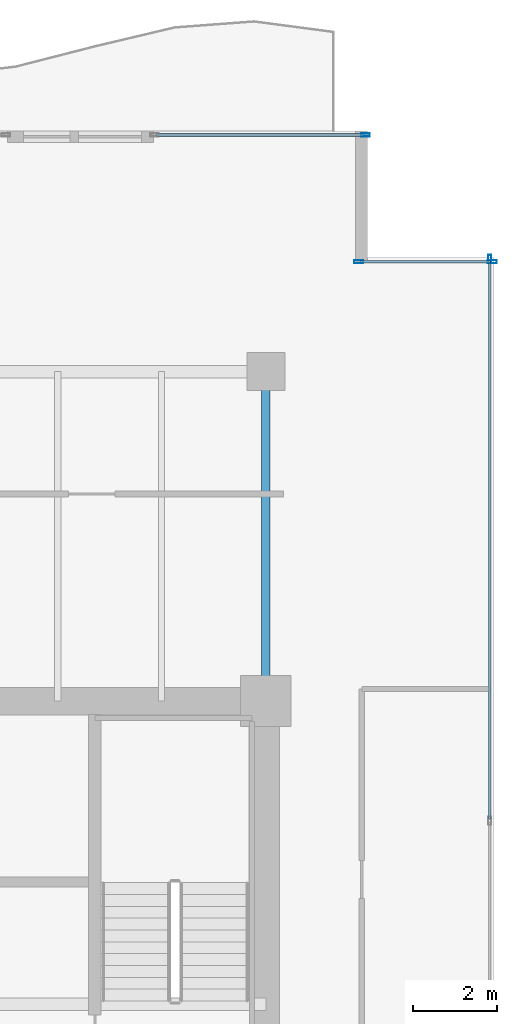
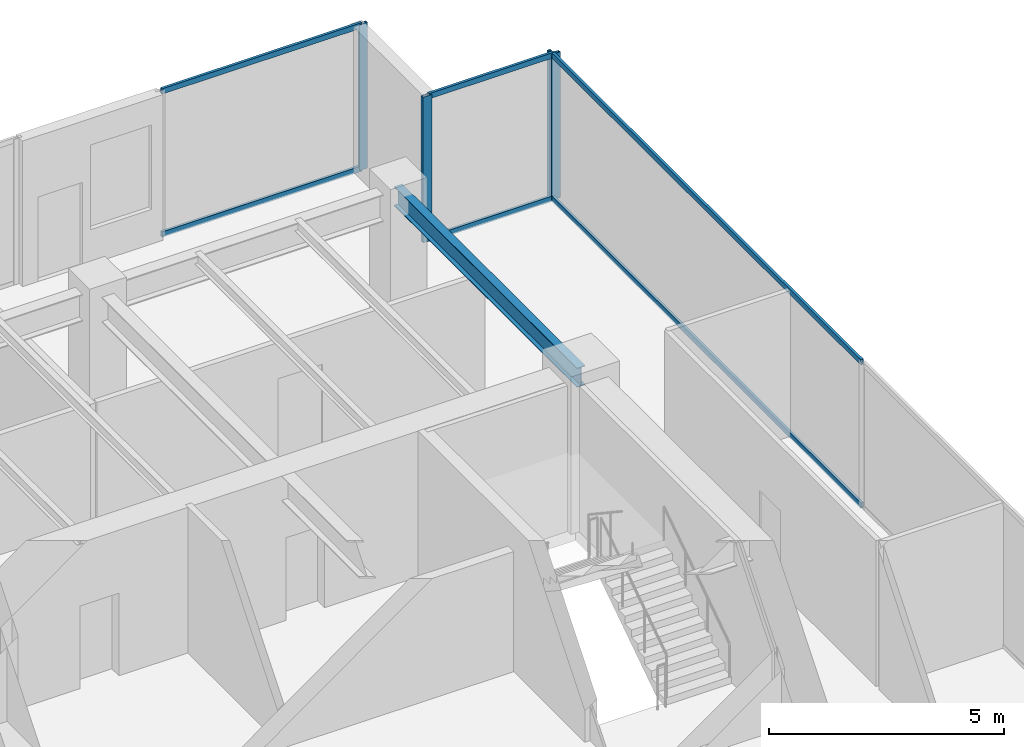
# One storey, part 21 of 30: 10 members, 1 beam, 3 elements without a shape of their own.
"""IFC4 building model written with IfcOpenShell, lengths in metres."""

from ifc_helpers import new_model, si_unit, direction, frame, origin, origin_2d, place, context, subcontext, project, spatial, hollow_rectangle, i_section, extrude, source, transform, mapped, material, layer, layer_set, material_profile, profile_set, type_object, type_shapes, element, aggregate, save


model = new_model("IFC4")

# Units and contexts
model_context = context("Model", 3, precision=1e-05, world=origin(), true_north=direction((0.0, 1.0)))
body_context = subcontext(model_context, "Body", "Model", "MODEL_VIEW")
ifc_project = project(units=[si_unit("LENGTHUNIT", "METRE"), si_unit("AREAUNIT", "SQUARE_METRE"), si_unit("VOLUMEUNIT", "CUBIC_METRE"), si_unit("PLANEANGLEUNIT", "RADIAN"), si_unit("MASSUNIT", "GRAM", prefix="KILO")], contexts=[model_context])

# Site, building, storey
site_placement = place(None, origin())
site = spatial("IfcSite", under=ifc_project, at=site_placement, CompositionType="ELEMENT")
building_placement = place(site_placement, origin())
building = spatial("IfcBuilding", under=site, at=building_placement, Name="Haelvirn Gate Laboratories", CompositionType="ELEMENT")
storey_placement = place(building_placement, frame((0.0, 0.0, 113.300048828125)))
storey = spatial("IfcBuildingStorey", under=building, at=storey_placement, Name="L27", CompositionType="ELEMENT", Elevation=113.300048828125)

# Beam
ifc_material_1 = material(Name="Steel SM355", Category="steel")
ifc_material_profile_1 = material_profile(ifc_material_1, i_section(OverallWidth=0.199951171875, OverallDepth=0.5, WebThickness=0.010009765625, FlangeThickness=0.01611328125, at=origin_2d()), Name="H-500x200x10x16")
ifc_profile_set_1 = profile_set([ifc_material_profile_1], Name="Steel SM355")
beam_type = type_object("IfcBeamType", Name="BM-SP-500", PredefinedType="SPANDREL", material=ifc_profile_set_1)
shared_shape_1 = source(origin(), body_context, "Body", "SweptSolid", [
    extrude(i_section(OverallWidth=0.199951171875, OverallDepth=0.5, WebThickness=0.010009765625, FlangeThickness=0.01611328125, at=origin_2d()), origin(), (0.0, 0.0, 1.0), 7.800048828125),
])
type_shapes(beam_type, [shared_shape_1])
beam_placement = place(storey_placement, frame((67.39990234375, 33.800048828125, 3.5400390625), z_axis=(0.0, 1.0, 0.0), x_axis=(-1.0, 0.0, 0.0)))
element("IfcBeam", 1, at=beam_placement, inside=storey, type_object=beam_type, Name="L27 Perimeter Spandrel X67.4 (33.8-41.6)", PredefinedType="SPANDREL", context=body_context, shape_type="MappedRepresentation", body=[
    mapped(shared_shape_1, transform((0.0, 0.0, 0.0), scale=1.0)),
])

# Curtain wall, members
ifc_material_2 = material(Name="Anodised bronze unitised aluminium & triple low-E glass", Category="aluminium")
ifc_layer_1 = layer(ifc_material_2, 0.181884765625, Name="CW-SYS-5")
ifc_layer_set_1 = layer_set([ifc_layer_1], Name="Anodised bronze unitised aluminium & triple low-E glass")
curtain_wall_type_1 = type_object("IfcCurtainWallType", Name="CW-SYS-5", PredefinedType="NOTDEFINED", material=ifc_layer_set_1)
curtain_wall_1_placement = place(storey_placement, origin())
curtain_wall_1 = element("IfcCurtainWall", 2, at=curtain_wall_1_placement, inside=storey, type_object=curtain_wall_type_1, Name="L27 Unitised Curtain Wall CW-L27-P0-E08-1", PredefinedType="NOTDEFINED")
ifc_material_3 = material(Name="Extruded aluminium 6063-T6 (anodised bronze)", Category="aluminium")
ifc_material_profile_2 = material_profile(ifc_material_3, hollow_rectangle(XDim=0.06494140625, YDim=0.139892578125, WallThickness=0.00390625, at=origin_2d()), Name="CWT-140x65x4")
ifc_profile_set_2 = profile_set([ifc_material_profile_2], Name="Extruded aluminium 6063-T6 (anodised bronze)")
member_type_1 = type_object("IfcMemberType", Name="CWT-T140", PredefinedType="USERDEFINED", material=ifc_profile_set_2)
shared_shape_2 = source(origin(), body_context, "Body", "SweptSolid", [
    extrude(hollow_rectangle(XDim=0.06494140625, YDim=0.139892578125, WallThickness=0.00390625, at=origin_2d()), origin(), (0.0, 0.0, 1.0), 3.080078125),
])
member_1_placement = place(storey_placement, frame((69.639892578125, 44.199951171875, 0.032470703125), z_axis=(1.0, 0.0, 0.0), x_axis=(0.0, 1.0, 0.0)))
member_1 = element("IfcMember", 3, at=member_1_placement, type_object=member_type_1, Name="CW5 transom 1.1", ObjectType="TRANSOM", PredefinedType="USERDEFINED", context=body_context, shape_type="MappedRepresentation", body=[
    mapped(shared_shape_2, transform((0.0, 0.0, 0.0), scale=1.0)),
])
member_2_placement = place(storey_placement, frame((69.639892578125, 44.199951171875, 3.757568359375), z_axis=(1.0, 0.0, 0.0), x_axis=(0.0, 1.0, 0.0)))
member_2 = element("IfcMember", 4, at=member_2_placement, type_object=member_type_1, Name="CW5 transom 1.2", ObjectType="TRANSOM", PredefinedType="USERDEFINED", context=body_context, shape_type="MappedRepresentation", body=[
    mapped(shared_shape_2, transform((0.0, 0.0, 0.0), scale=1.0)),
])

ifc_layer_2 = layer(ifc_material_2, 0.179931640625, Name="CW-SYS-3")
ifc_layer_set_2 = layer_set([ifc_layer_2], Name="Anodised bronze unitised aluminium & triple low-E glass")
curtain_wall_type_2 = type_object("IfcCurtainWallType", Name="CW-SYS-3", PredefinedType="NOTDEFINED", material=ifc_layer_set_2)
curtain_wall_2_placement = place(storey_placement, origin())
curtain_wall_2 = element("IfcCurtainWall", 5, at=curtain_wall_2_placement, inside=storey, type_object=curtain_wall_type_2, Name="L27 Unitised Curtain Wall CW-L27-P0-E07", PredefinedType="NOTDEFINED")
shared_shape_3 = source(origin(), body_context, "Body", "SweptSolid", [
    extrude(hollow_rectangle(XDim=0.06494140625, YDim=0.139892578125, WallThickness=0.00390625, at=origin_2d()), origin(), (0.0, 0.0, 1.0), 13.220947265625),
])
member_3_placement = place(storey_placement, frame((72.699951171875, 31.004150390625, 0.032470703125), z_axis=(0.0, 1.0, 0.0), x_axis=(-1.0, 0.0, 0.0)))
member_3 = element("IfcMember", 6, at=member_3_placement, type_object=member_type_1, Name="CW3 transom 3.1", ObjectType="TRANSOM", PredefinedType="USERDEFINED", context=body_context, shape_type="MappedRepresentation", body=[
    mapped(shared_shape_3, transform((0.0, 0.0, 0.0), scale=1.0)),
])
member_4_placement = place(storey_placement, frame((72.699951171875, 31.004150390625, 3.757568359375), z_axis=(0.0, 1.0, 0.0), x_axis=(-1.0, 0.0, 0.0)))
member_4 = element("IfcMember", 7, at=member_4_placement, type_object=member_type_1, Name="CW3 transom 3.2", ObjectType="TRANSOM", PredefinedType="USERDEFINED", context=body_context, shape_type="MappedRepresentation", body=[
    mapped(shared_shape_3, transform((0.0, 0.0, 0.0), scale=1.0)),
])
ifc_material_profile_3 = material_profile(ifc_material_3, hollow_rectangle(XDim=0.074951171875, YDim=0.199951171875, WallThickness=0.0048828125, at=origin_2d()), Name="CWM-200x75x5")
ifc_profile_set_3 = profile_set([ifc_material_profile_3], Name="Extruded aluminium 6063-T6 (anodised bronze)")
member_type_2 = type_object("IfcMemberType", Name="CWM-T200", PredefinedType="MULLION", material=ifc_profile_set_3)
shared_shape_4 = source(origin(), body_context, "Body", "SweptSolid", [
    extrude(hollow_rectangle(XDim=0.074951171875, YDim=0.199951171875, WallThickness=0.0048828125, at=origin_2d()), origin(), (0.0, 0.0, 1.0), 3.7900390625),
])
type_shapes(member_type_2, [shared_shape_4])
member_5_placement = place(storey_placement, frame((72.699951171875, 44.262451171875, 0.0), z_axis=(0.0, 0.0, 1.0), x_axis=(-1.0, 0.0, 0.0)))
member_5 = element("IfcMember", 8, at=member_5_placement, type_object=member_type_2, Name="CW3 mullion 4", PredefinedType="MULLION", context=body_context, shape_type="MappedRepresentation", body=[
    mapped(shared_shape_4, transform((0.0, 0.0, 0.0), scale=1.0)),
])
aggregate(curtain_wall_2, [member_5, member_3, member_4])

# Curtain wall, member
curtain_wall_3_placement = place(storey_placement, origin())
curtain_wall_3 = element("IfcCurtainWall", 9, at=curtain_wall_3_placement, inside=storey, type_object=curtain_wall_type_2, Name="L27 Unitised Curtain Wall CW-L27-P0-E10-2", PredefinedType="NOTDEFINED")
member_6_placement = place(storey_placement, frame((69.762451171875, 47.199951171875, 0.0), z_axis=(0.0, 0.0, 1.0), x_axis=(0.0, 1.0, 0.0)))
member_6 = element("IfcMember", 10, at=member_6_placement, type_object=member_type_2, Name="CW3 mullion 2", PredefinedType="MULLION", context=body_context, shape_type="MappedRepresentation", body=[
    mapped(shared_shape_4, transform((0.0, 0.0, 0.0), scale=1.0)),
])

# Member
ifc_material_profile_4 = material_profile(ifc_material_3, hollow_rectangle(XDim=0.080078125, YDim=0.219970703125, WallThickness=0.006103515625, at=origin_2d()), Name="CWM-220x80x6")
ifc_profile_set_4 = profile_set([ifc_material_profile_4], Name="Extruded aluminium 6063-T6 (anodised bronze)")
member_type_3 = type_object("IfcMemberType", Name="CWM-T220", PredefinedType="MULLION", material=ifc_profile_set_4)
shared_shape_5 = source(origin(), body_context, "Body", "SweptSolid", [
    extrude(hollow_rectangle(XDim=0.080078125, YDim=0.219970703125, WallThickness=0.006103515625, at=origin_2d()), origin(), (0.0, 0.0, 1.0), 3.7900390625),
])
type_shapes(member_type_3, [shared_shape_5])
member_7_placement = place(storey_placement, frame((69.60009765625, 44.199951171875, 0.0), z_axis=(0.0, 0.0, 1.0), x_axis=(0.0, 1.0, 0.0)))
member_7 = element("IfcMember", 11, at=member_7_placement, type_object=member_type_3, Name="CW5 mullion 1", PredefinedType="MULLION", context=body_context, shape_type="MappedRepresentation", body=[
    mapped(shared_shape_5, transform((0.0, 0.0, 0.0), scale=1.0)),
])

member_8_placement = place(storey_placement, frame((72.760009765625, 44.199951171875, 0.0), z_axis=(0.0, 0.0, 1.0), x_axis=(0.0, 1.0, 0.0)))
member_8 = element("IfcMember", 12, at=member_8_placement, type_object=member_type_3, Name="CW5 mullion 2", PredefinedType="MULLION", context=body_context, shape_type="MappedRepresentation", body=[
    mapped(shared_shape_5, transform((0.0, 0.0, 0.0), scale=1.0)),
])

aggregate(curtain_wall_1, [member_7, member_8, member_1, member_2])

shared_shape_6 = source(origin(), body_context, "Body", "SweptSolid", [
    extrude(hollow_rectangle(XDim=0.06494140625, YDim=0.139892578125, WallThickness=0.00390625, at=origin_2d()), origin(), (0.0, 0.0, 1.0), 4.920166015625),
])
type_shapes(member_type_1, [shared_shape_2, shared_shape_3, shared_shape_6])
member_9_placement = place(storey_placement, frame((64.804931640625, 47.199951171875, 0.032470703125), z_axis=(1.0, 0.0, 0.0), x_axis=(0.0, 1.0, 0.0)))
member_9 = element("IfcMember", 13, at=member_9_placement, type_object=member_type_1, Name="CW3 transom 1.1", ObjectType="TRANSOM", PredefinedType="USERDEFINED", context=body_context, shape_type="MappedRepresentation", body=[
    mapped(shared_shape_6, transform((0.0, 0.0, 0.0), scale=1.0)),
])

member_10_placement = place(storey_placement, frame((64.804931640625, 47.199951171875, 3.757568359375), z_axis=(1.0, 0.0, 0.0), x_axis=(0.0, 1.0, 0.0)))
member_10 = element("IfcMember", 14, at=member_10_placement, type_object=member_type_1, Name="CW3 transom 1.2", ObjectType="TRANSOM", PredefinedType="USERDEFINED", context=body_context, shape_type="MappedRepresentation", body=[
    mapped(shared_shape_6, transform((0.0, 0.0, 0.0), scale=1.0)),
])

aggregate(curtain_wall_3, [member_6, member_9, member_10])

save(model, "model.ifc")
